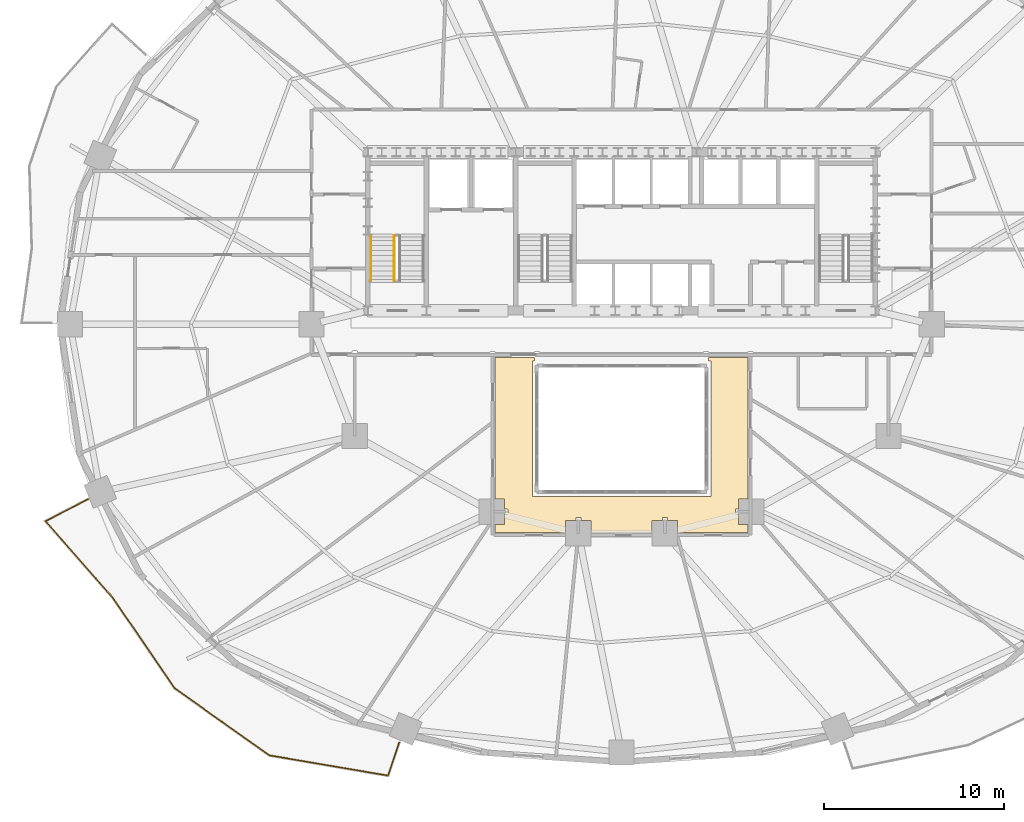
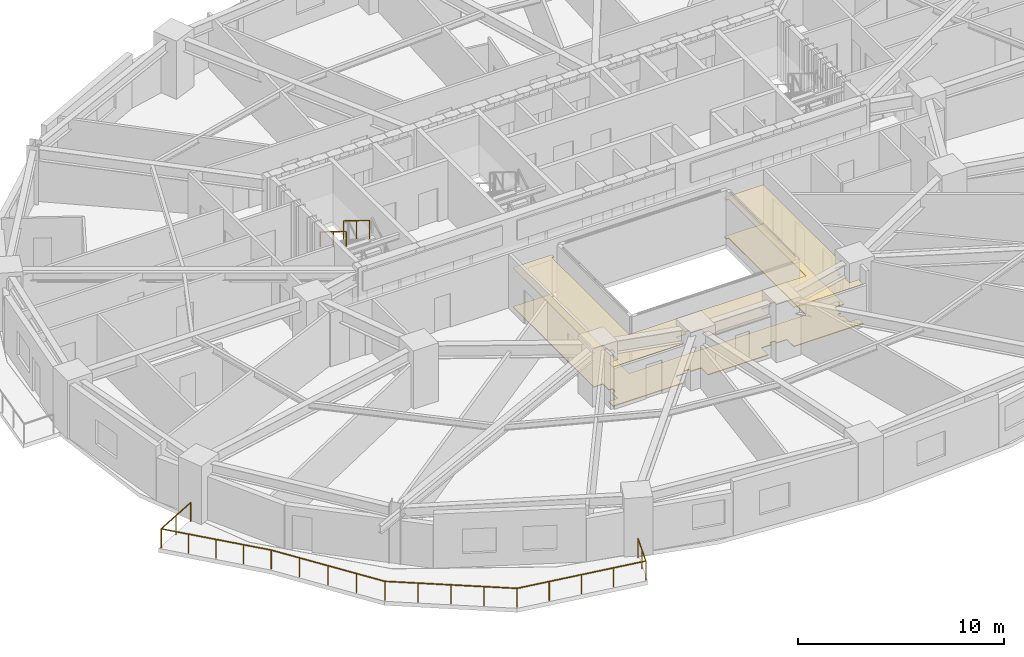
# One storey, part 15 of 18: 3 railings, 2 coverings.
"""IFC4 building model written with IfcOpenShell, lengths in metres."""

from ifc_helpers import new_model, si_unit, direction, frame, origin, origin_2d, place, context, subcontext, project, spatial, polyline, rectangle, outline, extrude, material, layer, layer_set, type_object, element, save


model = new_model("IFC4")

# Units and contexts
model_context = context("Model", 3, precision=1e-05, world=origin(), true_north=direction((0.0, 1.0)))
body_context = subcontext(model_context, "Body", "Model", "MODEL_VIEW")
ifc_project = project(units=[si_unit("LENGTHUNIT", "METRE"), si_unit("AREAUNIT", "SQUARE_METRE"), si_unit("VOLUMEUNIT", "CUBIC_METRE"), si_unit("PLANEANGLEUNIT", "RADIAN"), si_unit("MASSUNIT", "GRAM", prefix="KILO")], contexts=[model_context])

# Site, building, storey
site_placement = place(None, origin())
site = spatial("IfcSite", under=ifc_project, at=site_placement, CompositionType="ELEMENT")
building_placement = place(site_placement, origin())
building = spatial("IfcBuilding", under=site, at=building_placement, Name="Haldorwick Loom Tower", CompositionType="ELEMENT")
storey_placement = place(building_placement, frame((0.0, 0.0, 48.14990234375)))
storey = spatial("IfcBuildingStorey", under=building, at=storey_placement, Name="L12", CompositionType="ELEMENT", Elevation=48.14990234375)

# Coverings
ifc_material_1 = material(Name="Mineral Fibre Acoustic Ceiling Tile")
ifc_layer_1 = layer(ifc_material_1, 0.054931640625, Name="Mineral Fibre Acoustic Ceiling Tile")
ifc_layer_set_1 = layer_set([ifc_layer_1], Name="Mineral Fibre Acoustic Ceiling Tile")
covering_type_1 = type_object("IfcCoveringType", Name="ARC-COV-CEIL2", PredefinedType="CEILING", material=ifc_layer_set_1)
covering_1_placement = place(storey_placement, frame((0.0, 0.0, 2.302001953125)))
element("IfcCovering", 1, at=covering_1_placement, inside=storey, type_object=covering_type_1, Name="L12 Acoustic Suspended Ceiling 1", PredefinedType="CEILING", context=body_context, shape_type="SweptSolid", body=[
    extrude(outline(polyline([(33.719970703125, 15.2900390625), (33.721923828125, 15.289794921875), (33.723876953125, 15.28955078125), (33.725830078125, 15.2890625), (33.7275390625, 15.28857421875), (33.7294921875, 15.28759765625), (33.731201171875, 15.28662109375), (33.732666015625, 15.285400390625), (33.734130859375, 15.2841796875), (33.7353515625, 15.28271484375), (33.736572265625, 15.281005859375), (33.737548828125, 15.279541015625), (33.738525390625, 15.277587890625), (33.739013671875, 15.27587890625), (33.739501953125, 15.27392578125), (33.739990234375, 15.27197265625), (33.739990234375, 15.27001953125), (33.740478515625, 15.10791015625), (34.30810546875, 15.10791015625), (34.30810546875, 14.43994140625), (37.69189453125, 14.43994140625), (37.69189453125, 15.10791015625), (38.260009765625, 15.10791015625), (38.260009765625, 15.27001953125), (38.260009765625, 15.27197265625), (38.260498046875, 15.27392578125), (38.260986328125, 15.27587890625), (38.261474609375, 15.277587890625), (38.262451171875, 15.279296875), (38.263427734375, 15.281005859375), (38.264404296875, 15.28271484375), (38.265869140625, 15.2841796875), (38.267333984375, 15.285400390625), (38.268798828125, 15.28662109375), (38.2705078125, 15.28759765625), (38.272216796875, 15.28857421875), (38.274169921875, 15.2890625), (38.276123046875, 15.28955078125), (38.278076171875, 15.289794921875), (38.280029296875, 15.2900390625), (38.52001953125, 15.2900390625), (38.52197265625, 15.289794921875), (38.52392578125, 15.28955078125), (38.52587890625, 15.2890625), (38.527587890625, 15.28857421875), (38.529296875, 15.28759765625), (38.531005859375, 15.28662109375), (38.53271484375, 15.285400390625), (38.5341796875, 15.2841796875), (38.535400390625, 15.28271484375), (38.53662109375, 15.281005859375), (38.53759765625, 15.279296875), (38.53857421875, 15.277587890625), (38.5390625, 15.27587890625), (38.53955078125, 15.27392578125), (38.539794921875, 15.27197265625), (38.5400390625, 15.27001953125), (38.5400390625, 15.10791015625), (39.10791015625, 15.10791015625), (39.10791015625, 14.43994140625), (43.010009765625, 14.43994140625), (43.010009765625, 14.89208984375), (42.491943359375, 14.89208984375), (42.491943359375, 15.4599609375), (42.330078125, 15.4599609375), (42.327880859375, 15.460205078125), (42.326171875, 15.46044921875), (42.32421875, 15.4609375), (42.322265625, 15.46142578125), (42.320556640625, 15.46240234375), (42.31884765625, 15.46337890625), (42.3173828125, 15.464599609375), (42.31591796875, 15.4658203125), (42.314453125, 15.46728515625), (42.3134765625, 15.468994140625), (42.3125, 15.470703125), (42.3115234375, 15.472412109375), (42.310791015625, 15.47412109375), (42.310302734375, 15.47607421875), (42.31005859375, 15.47802734375), (42.31005859375, 15.47998046875), (42.31005859375, 15.719970703125), (42.31005859375, 15.721923828125), (42.310302734375, 15.723876953125), (42.310791015625, 15.725830078125), (42.3115234375, 15.727783203125), (42.3125, 15.7294921875), (42.3134765625, 15.731201171875), (42.314453125, 15.732666015625), (42.31591796875, 15.734130859375), (42.3173828125, 15.735595703125), (42.31884765625, 15.736572265625), (42.320556640625, 15.737548828125), (42.322265625, 15.738525390625), (42.32421875, 15.739013671875), (42.326171875, 15.739501953125), (42.327880859375, 15.739990234375), (42.330078125, 15.739990234375), (42.491943359375, 15.739990234375), (42.491943359375, 16.30810546875), (43.010009765625, 16.30810546875), (43.010009765625, 24.159912109375), (40.820068359375, 24.159912109375), (40.820068359375, 23.949951171875), (40.949951171875, 23.949951171875), (40.949951171875, 16.449951171875), (31.050048828125, 16.449951171875), (31.050048828125, 23.949951171875), (31.179931640625, 23.949951171875), (31.179931640625, 24.159912109375), (28.989990234375, 24.159912109375), (28.989990234375, 16.30810546875), (29.508056640625, 16.30810546875), (29.508056640625, 15.739990234375), (29.669921875, 15.739990234375), (29.672119140625, 15.739990234375), (29.673828125, 15.739501953125), (29.67578125, 15.739013671875), (29.677734375, 15.738525390625), (29.679443359375, 15.737548828125), (29.68115234375, 15.736572265625), (29.6826171875, 15.735595703125), (29.68408203125, 15.734130859375), (29.685546875, 15.732666015625), (29.6865234375, 15.731201171875), (29.6875, 15.7294921875), (29.6884765625, 15.727783203125), (29.689208984375, 15.725830078125), (29.689697265625, 15.723876953125), (29.68994140625, 15.721923828125), (29.68994140625, 15.719970703125), (29.68994140625, 15.47998046875), (29.68994140625, 15.47802734375), (29.689697265625, 15.47607421875), (29.689208984375, 15.47412109375), (29.6884765625, 15.472412109375), (29.6875, 15.470703125), (29.6865234375, 15.468994140625), (29.685546875, 15.46728515625), (29.68408203125, 15.4658203125), (29.6826171875, 15.464599609375), (29.68115234375, 15.46337890625), (29.679443359375, 15.46240234375), (29.677734375, 15.46142578125), (29.67578125, 15.4609375), (29.673828125, 15.46044921875), (29.672119140625, 15.460205078125), (29.669921875, 15.4599609375), (29.508056640625, 15.4599609375), (29.508056640625, 14.89208984375), (28.989990234375, 14.89208984375), (28.989990234375, 14.43994140625), (32.89208984375, 14.43994140625), (32.89208984375, 15.10791015625), (33.4599609375, 15.10791015625), (33.4599609375, 15.27001953125), (33.460205078125, 15.27197265625), (33.46044921875, 15.27392578125), (33.4609375, 15.27587890625), (33.46142578125, 15.277587890625), (33.46240234375, 15.279296875), (33.46337890625, 15.281005859375), (33.464599609375, 15.28271484375), (33.4658203125, 15.2841796875), (33.46728515625, 15.285400390625), (33.468994140625, 15.28662109375), (33.470703125, 15.28759765625), (33.472412109375, 15.28857421875), (33.47412109375, 15.2890625), (33.47607421875, 15.28955078125), (33.47802734375, 15.289794921875), (33.47998046875, 15.2900390625), (33.719970703125, 15.2900390625)])), origin(), (0.0, 0.0, 1.0), 0.05517578125),
])
ifc_material_2 = material(Name="Polished Aggregate Terrazzo Finish")
ifc_layer_2 = layer(ifc_material_2, 0.044921875, Name="Polished Aggregate Terrazzo Finish")
ifc_layer_set_2 = layer_set([ifc_layer_2], Name="Polished Aggregate Terrazzo Finish")
covering_type_2 = type_object("IfcCoveringType", Name="ARC-COV-FLOOR2", PredefinedType="FLOORING", material=ifc_layer_set_2)
covering_2_placement = place(storey_placement, origin())
element("IfcCovering", 2, at=covering_2_placement, inside=storey, type_object=covering_type_2, Name="L12 Floor Finish 1", PredefinedType="FLOORING", context=body_context, shape_type="SweptSolid", body=[
    extrude(outline(polyline([(33.719970703125, 15.2900390625), (33.721923828125, 15.289794921875), (33.723876953125, 15.28955078125), (33.725830078125, 15.2890625), (33.7275390625, 15.28857421875), (33.7294921875, 15.28759765625), (33.731201171875, 15.28662109375), (33.732666015625, 15.285400390625), (33.734130859375, 15.2841796875), (33.7353515625, 15.28271484375), (33.736572265625, 15.281005859375), (33.737548828125, 15.279541015625), (33.738525390625, 15.277587890625), (33.739013671875, 15.27587890625), (33.739501953125, 15.27392578125), (33.739990234375, 15.27197265625), (33.739990234375, 15.27001953125), (33.740478515625, 15.10791015625), (34.30810546875, 15.10791015625), (34.30810546875, 14.43994140625), (37.69189453125, 14.43994140625), (37.69189453125, 15.10791015625), (38.260009765625, 15.10791015625), (38.260009765625, 15.27001953125), (38.260009765625, 15.27197265625), (38.260498046875, 15.27392578125), (38.260986328125, 15.27587890625), (38.261474609375, 15.277587890625), (38.262451171875, 15.279296875), (38.263427734375, 15.281005859375), (38.264404296875, 15.28271484375), (38.265869140625, 15.2841796875), (38.267333984375, 15.285400390625), (38.268798828125, 15.28662109375), (38.2705078125, 15.28759765625), (38.272216796875, 15.28857421875), (38.274169921875, 15.2890625), (38.276123046875, 15.28955078125), (38.278076171875, 15.289794921875), (38.280029296875, 15.2900390625), (38.52001953125, 15.2900390625), (38.52197265625, 15.289794921875), (38.52392578125, 15.28955078125), (38.52587890625, 15.2890625), (38.527587890625, 15.28857421875), (38.529296875, 15.28759765625), (38.531005859375, 15.28662109375), (38.53271484375, 15.285400390625), (38.5341796875, 15.2841796875), (38.535400390625, 15.28271484375), (38.53662109375, 15.281005859375), (38.53759765625, 15.279296875), (38.53857421875, 15.277587890625), (38.5390625, 15.27587890625), (38.53955078125, 15.27392578125), (38.539794921875, 15.27197265625), (38.5400390625, 15.27001953125), (38.5400390625, 15.10791015625), (39.10791015625, 15.10791015625), (39.10791015625, 14.43994140625), (43.010009765625, 14.43994140625), (43.010009765625, 14.89208984375), (42.491943359375, 14.89208984375), (42.491943359375, 15.4599609375), (42.330078125, 15.4599609375), (42.327880859375, 15.460205078125), (42.326171875, 15.46044921875), (42.32421875, 15.4609375), (42.322265625, 15.46142578125), (42.320556640625, 15.46240234375), (42.31884765625, 15.46337890625), (42.3173828125, 15.464599609375), (42.31591796875, 15.4658203125), (42.314453125, 15.46728515625), (42.3134765625, 15.468994140625), (42.3125, 15.470703125), (42.3115234375, 15.472412109375), (42.310791015625, 15.47412109375), (42.310302734375, 15.47607421875), (42.31005859375, 15.47802734375), (42.31005859375, 15.47998046875), (42.31005859375, 15.719970703125), (42.31005859375, 15.721923828125), (42.310302734375, 15.723876953125), (42.310791015625, 15.725830078125), (42.3115234375, 15.727783203125), (42.3125, 15.7294921875), (42.3134765625, 15.731201171875), (42.314453125, 15.732666015625), (42.31591796875, 15.734130859375), (42.3173828125, 15.735595703125), (42.31884765625, 15.736572265625), (42.320556640625, 15.737548828125), (42.322265625, 15.738525390625), (42.32421875, 15.739013671875), (42.326171875, 15.739501953125), (42.327880859375, 15.739990234375), (42.330078125, 15.739990234375), (42.491943359375, 15.739990234375), (42.491943359375, 16.30810546875), (43.010009765625, 16.30810546875), (43.010009765625, 24.159912109375), (40.820068359375, 24.159912109375), (40.820068359375, 23.949951171875), (40.949951171875, 23.949951171875), (40.949951171875, 16.449951171875), (31.050048828125, 16.449951171875), (31.050048828125, 23.949951171875), (31.179931640625, 23.949951171875), (31.179931640625, 24.159912109375), (28.989990234375, 24.159912109375), (28.989990234375, 16.30810546875), (29.508056640625, 16.30810546875), (29.508056640625, 15.739990234375), (29.669921875, 15.739990234375), (29.672119140625, 15.739990234375), (29.673828125, 15.739501953125), (29.67578125, 15.739013671875), (29.677734375, 15.738525390625), (29.679443359375, 15.737548828125), (29.68115234375, 15.736572265625), (29.6826171875, 15.735595703125), (29.68408203125, 15.734130859375), (29.685546875, 15.732666015625), (29.6865234375, 15.731201171875), (29.6875, 15.7294921875), (29.6884765625, 15.727783203125), (29.689208984375, 15.725830078125), (29.689697265625, 15.723876953125), (29.68994140625, 15.721923828125), (29.68994140625, 15.719970703125), (29.68994140625, 15.47998046875), (29.68994140625, 15.47802734375), (29.689697265625, 15.47607421875), (29.689208984375, 15.47412109375), (29.6884765625, 15.472412109375), (29.6875, 15.470703125), (29.6865234375, 15.468994140625), (29.685546875, 15.46728515625), (29.68408203125, 15.4658203125), (29.6826171875, 15.464599609375), (29.68115234375, 15.46337890625), (29.679443359375, 15.46240234375), (29.677734375, 15.46142578125), (29.67578125, 15.4609375), (29.673828125, 15.46044921875), (29.672119140625, 15.460205078125), (29.669921875, 15.4599609375), (29.508056640625, 15.4599609375), (29.508056640625, 14.89208984375), (28.989990234375, 14.89208984375), (28.989990234375, 14.43994140625), (32.89208984375, 14.43994140625), (32.89208984375, 15.10791015625), (33.4599609375, 15.10791015625), (33.4599609375, 15.27001953125), (33.460205078125, 15.27197265625), (33.46044921875, 15.27392578125), (33.4609375, 15.27587890625), (33.46142578125, 15.277587890625), (33.46240234375, 15.279296875), (33.46337890625, 15.281005859375), (33.464599609375, 15.28271484375), (33.4658203125, 15.2841796875), (33.46728515625, 15.285400390625), (33.468994140625, 15.28662109375), (33.470703125, 15.28759765625), (33.472412109375, 15.28857421875), (33.47412109375, 15.2890625), (33.47607421875, 15.28955078125), (33.47802734375, 15.289794921875), (33.47998046875, 15.2900390625), (33.719970703125, 15.2900390625)])), origin(), (0.0, 0.0, 1.0), 0.045166015625),
])

# Railings
ifc_material_3 = material(Name="Galvanized Steel CSA G40.21 350W", Category="steel")
railing_type_1 = type_object("IfcRailingType", Name="ARC-RLG-BAL115", PredefinedType="BALUSTRADE", material=ifc_material_3)
railing_1_placement = place(storey_placement, frame((23.661865234375, 2.792236328125, 0.0)))
element("IfcRailing", 3, at=railing_1_placement, inside=storey, type_object=railing_type_1, Name="L12 Outdoor Terrace Guardrail SLB-L12-BAL_SW-1", PredefinedType="BALUSTRADE", context=body_context, shape_type="SweptSolid", body=[
    extrude(rectangle(XDim=0.048095703125, YDim=0.048095703125, at=origin_2d()), frame((0.0, 0.0, 1.1259765625), z_axis=(-0.320435584101, -0.947270308012, 0.0), x_axis=(0.947270308012, -0.320435584101, 0.0)), (0.0, 0.0, 1.0), 1.9306640625),
    extrude(rectangle(XDim=0.048095703125, YDim=0.048095703125, at=origin_2d()), frame((-0.61865234375, -1.828857421875, 1.1259765625), z_axis=(-0.985747982985, 0.168228755094, 0.0), x_axis=(-0.168228755094, -0.985747982985, 0.0)), (0.0, 0.0, 1.0), 6.66552734375),
    extrude(rectangle(XDim=0.048095703125, YDim=0.048095703125, at=origin_2d()), frame((-7.189208984375, -0.70751953125, 1.1259765625), z_axis=(-0.816259372483, 0.577685586486, 0.0), x_axis=(-0.577685586486, -0.816259372483, 0.0)), (0.0, 0.0, 1.0), 6.4326171875),
    extrude(rectangle(XDim=0.048095703125, YDim=0.048095703125, at=origin_2d()), frame((-12.43994140625, 3.008544921875, 1.1259765625), z_axis=(-0.564811281477, 0.82522010174, 0.0), x_axis=(-0.82522010174, -0.564811281477, 0.0)), (0.0, 0.0, 1.0), 6.115478515625),
    extrude(rectangle(XDim=0.048095703125, YDim=0.048095703125, at=origin_2d()), frame((-15.89404296875, 8.05517578125, 1.1259765625), z_axis=(-0.615644041972, 0.788024373725, 0.0), x_axis=(-0.788024373725, -0.615644041972, 0.0)), (0.0, 0.0, 1.0), 0.010009765625),
    extrude(rectangle(XDim=0.048095703125, YDim=0.048095703125, at=origin_2d()), frame((-15.900146484375, 8.06298828125, 1.1259765625), z_axis=(-0.661217967964, 0.750193840845, 0.0), x_axis=(-0.750193840845, -0.661217967964, 0.0)), (0.0, 0.0, 1.0), 5.622314453125),
    extrude(rectangle(XDim=0.048095703125, YDim=0.048095703125, at=origin_2d()), frame((-19.61767578125, 12.28076171875, 1.1259765625), z_axis=(0.889147904844, 0.457619933254, 0.0), x_axis=(-0.457619933254, 0.889147904844, 0.0)), (0.0, 0.0, 1.0), 2.657470703125),
    extrude(rectangle(XDim=0.0419921875, YDim=0.0419921875, at=origin_2d()), origin(), (0.0, 0.0, 1.0), 1.101806640625),
    extrude(rectangle(XDim=0.0419921875, YDim=0.0419921875, at=origin_2d()), frame((-0.309326171875, -0.91455078125, 0.0)), (0.0, 0.0, 1.0), 1.101806640625),
    extrude(rectangle(XDim=0.0419921875, YDim=0.0419921875, at=origin_2d()), frame((-0.61865234375, -1.828857421875, 0.0)), (0.0, 0.0, 1.0), 1.101806640625),
    extrude(rectangle(XDim=0.0419921875, YDim=0.0419921875, at=origin_2d()), frame((-2.26123046875, -1.548583984375, 0.0)), (0.0, 0.0, 1.0), 1.101806640625),
    extrude(rectangle(XDim=0.0419921875, YDim=0.0419921875, at=origin_2d()), frame((-3.90380859375, -1.26806640625, 0.0)), (0.0, 0.0, 1.0), 1.101806640625),
    extrude(rectangle(XDim=0.0419921875, YDim=0.0419921875, at=origin_2d()), frame((-5.546630859375, -0.98779296875, 0.0)), (0.0, 0.0, 1.0), 1.101806640625),
    extrude(rectangle(XDim=0.0419921875, YDim=0.0419921875, at=origin_2d()), frame((-7.189208984375, -0.70751953125, 0.0)), (0.0, 0.0, 1.0), 1.101806640625),
    extrude(rectangle(XDim=0.0419921875, YDim=0.0419921875, at=origin_2d()), frame((-8.501953125, 0.221435546875, 0.0)), (0.0, 0.0, 1.0), 1.101806640625),
    extrude(rectangle(XDim=0.0419921875, YDim=0.0419921875, at=origin_2d()), frame((-9.814453125, 1.150390625, 0.0)), (0.0, 0.0, 1.0), 1.101806640625),
    extrude(rectangle(XDim=0.0419921875, YDim=0.0419921875, at=origin_2d()), frame((-11.127197265625, 2.07958984375, 0.0)), (0.0, 0.0, 1.0), 1.101806640625),
    extrude(rectangle(XDim=0.0419921875, YDim=0.0419921875, at=origin_2d()), frame((-12.43994140625, 3.008544921875, 0.0)), (0.0, 0.0, 1.0), 1.101806640625),
    extrude(rectangle(XDim=0.0419921875, YDim=0.0419921875, at=origin_2d()), frame((-13.303466796875, 4.270263671875, 0.0)), (0.0, 0.0, 1.0), 1.101806640625),
    extrude(rectangle(XDim=0.0419921875, YDim=0.0419921875, at=origin_2d()), frame((-14.1669921875, 5.53173828125, 0.0)), (0.0, 0.0, 1.0), 1.101806640625),
    extrude(rectangle(XDim=0.0419921875, YDim=0.0419921875, at=origin_2d()), frame((-15.030517578125, 6.79345703125, 0.0)), (0.0, 0.0, 1.0), 1.101806640625),
    extrude(rectangle(XDim=0.0419921875, YDim=0.0419921875, at=origin_2d()), frame((-15.89404296875, 8.05517578125, 0.0)), (0.0, 0.0, 1.0), 1.101806640625),
    extrude(rectangle(XDim=0.0419921875, YDim=0.0419921875, at=origin_2d()), frame((-16.82958984375, 9.117431640625, 0.0)), (0.0, 0.0, 1.0), 1.101806640625),
    extrude(rectangle(XDim=0.0419921875, YDim=0.0419921875, at=origin_2d()), frame((-17.7587890625, 10.171875, 0.0)), (0.0, 0.0, 1.0), 1.101806640625),
    extrude(rectangle(XDim=0.0419921875, YDim=0.0419921875, at=origin_2d()), frame((-18.688232421875, 11.226318359375, 0.0)), (0.0, 0.0, 1.0), 1.101806640625),
    extrude(rectangle(XDim=0.0419921875, YDim=0.0419921875, at=origin_2d()), frame((-19.61767578125, 12.28076171875, 0.0)), (0.0, 0.0, 1.0), 1.101806640625),
    extrude(rectangle(XDim=0.0419921875, YDim=0.0419921875, at=origin_2d()), frame((-18.436279296875, 12.888671875, 0.0)), (0.0, 0.0, 1.0), 1.101806640625),
    extrude(rectangle(XDim=0.0419921875, YDim=0.0419921875, at=origin_2d()), frame((-17.2548828125, 13.496826171875, 0.0)), (0.0, 0.0, 1.0), 1.101806640625),
])
ifc_material_4 = material(Name="Steel CSA G40.21 350W", Category="steel")
railing_type_2 = type_object("IfcRailingType", Name="ARC-RLG-GUARD112", PredefinedType="GUARDRAIL", material=ifc_material_4)
railing_2_placement = place(storey_placement, frame((23.39990234375, 30.919921875, 1.897705078125)))
element("IfcRailing", 4, at=railing_2_placement, inside=storey, type_object=railing_type_2, Name="L12 ST-01 stair guard 3", PredefinedType="GUARDRAIL", context=body_context, shape_type="SweptSolid", body=[
    extrude(rectangle(XDim=0.048095703125, YDim=0.048095703125, at=origin_2d()), frame((0.0, 0.0, 1.076171875), z_axis=(0.0, -0.851400495292, 0.524516154772), x_axis=(1.0, 0.0, 0.0)), (0.0, 0.0, 1.0), 2.9599609375),
    extrude(rectangle(XDim=0.0419921875, YDim=0.0419921875, at=origin_2d()), origin(), (0.0, 0.0, 1.0), 1.052001953125),
    extrude(rectangle(XDim=0.0419921875, YDim=0.0419921875, at=origin_2d()), frame((0.0, -1.260009765625, 0.7763671875)), (0.0, 0.0, 1.0), 1.052001953125),
    extrude(rectangle(XDim=0.0419921875, YDim=0.0419921875, at=origin_2d()), frame((0.0, -2.52001953125, 1.552490234375)), (0.0, 0.0, 1.0), 1.052001953125),
])
railing_type_3 = type_object("IfcRailingType", Name="ARC-RLG-HAND092", PredefinedType="HANDRAIL", material=ifc_material_4)
railing_3_placement = place(storey_placement, frame((22.10009765625, 30.919921875, 1.897705078125)))
element("IfcRailing", 5, at=railing_3_placement, inside=storey, type_object=railing_type_3, Name="L12 ST-01 stair handrail 2", PredefinedType="HANDRAIL", context=body_context, shape_type="SweptSolid", body=[
    extrude(rectangle(XDim=0.048095703125, YDim=0.048095703125, at=origin_2d()), frame((0.0, 0.0, 0.8759765625), z_axis=(0.0, -0.851400495292, 0.524516154772), x_axis=(1.0, 0.0, 0.0)), (0.0, 0.0, 1.0), 2.9599609375),
    extrude(rectangle(XDim=0.0419921875, YDim=0.0419921875, at=origin_2d()), origin(), (0.0, 0.0, 1.0), 0.851806640625),
    extrude(rectangle(XDim=0.0419921875, YDim=0.0419921875, at=origin_2d()), frame((0.0, -1.260009765625, 0.7763671875)), (0.0, 0.0, 1.0), 0.851806640625),
    extrude(rectangle(XDim=0.0419921875, YDim=0.0419921875, at=origin_2d()), frame((0.0, -2.52001953125, 1.552490234375)), (0.0, 0.0, 1.0), 0.851806640625),
])

save(model, "model.ifc")
